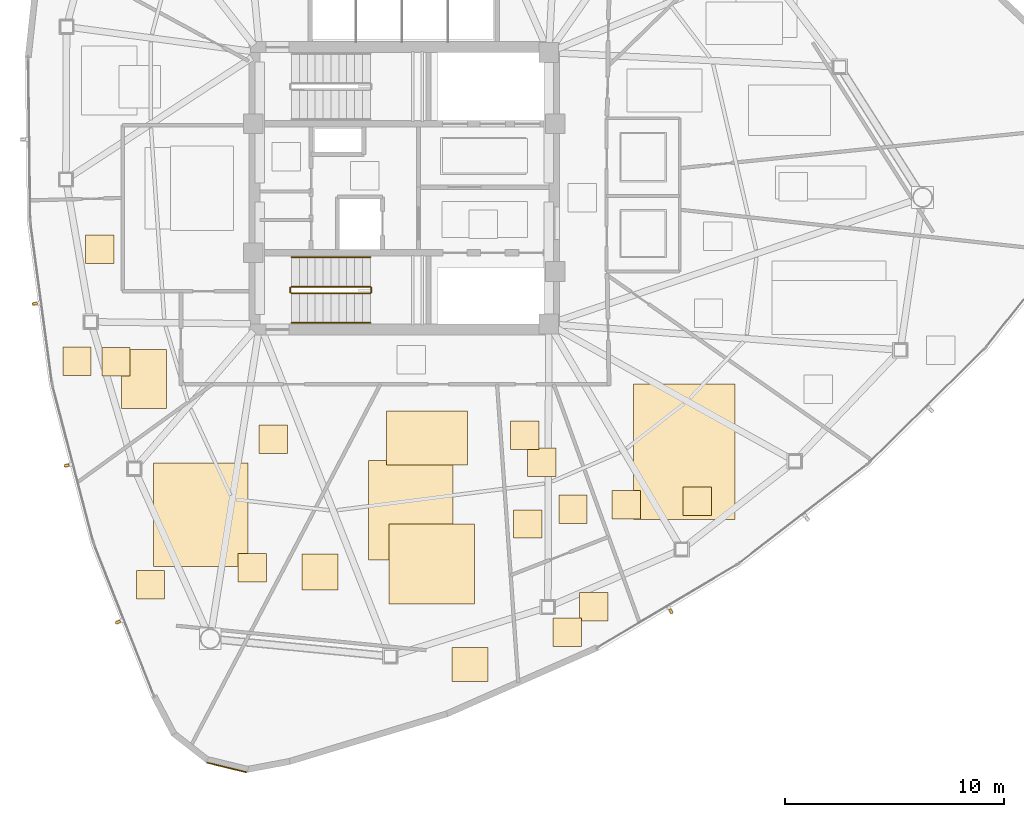
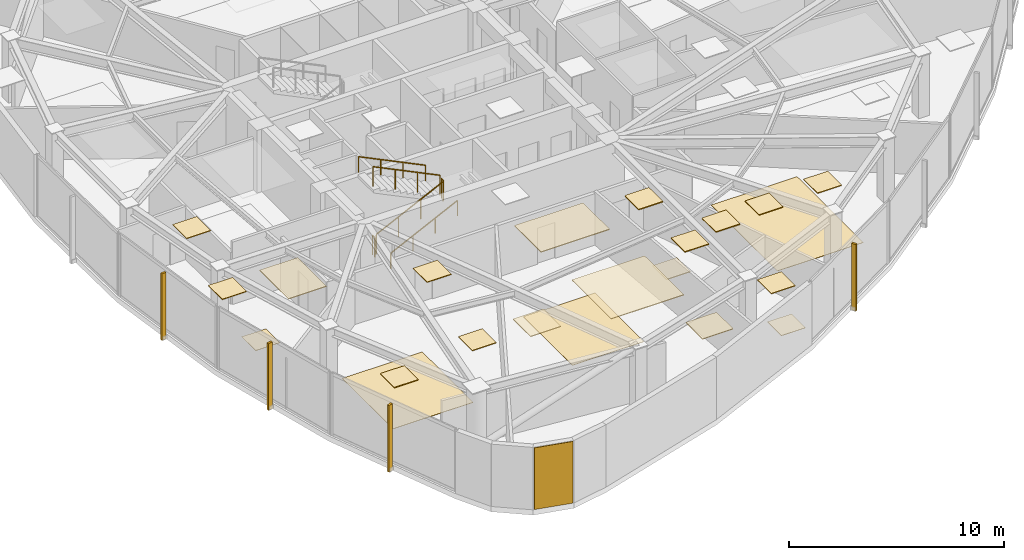
# One storey, part 15 of 18: 23 coverings, 6 railings, 4 shading devices.
"""IFC4 building model written with IfcOpenShell, lengths in metres."""

from ifc_helpers import new_model, si_unit, direction, frame, origin, origin_2d, place, context, subcontext, project, spatial, polyline, rectangle, outline, extrude, source, transform, mapped, material, layer, layer_set, type_object, type_shapes, element, save


model = new_model("IFC4")

# Units and contexts
model_context = context("Model", 3, precision=1e-05, world=origin(), true_north=direction((0.0, 1.0)))
body_context = subcontext(model_context, "Body", "Model", "MODEL_VIEW")
ifc_project = project(units=[si_unit("LENGTHUNIT", "METRE"), si_unit("AREAUNIT", "SQUARE_METRE"), si_unit("VOLUMEUNIT", "CUBIC_METRE"), si_unit("PLANEANGLEUNIT", "RADIAN"), si_unit("MASSUNIT", "GRAM", prefix="KILO")], contexts=[model_context])

# Site, building, storey
site_placement = place(None, origin())
site = spatial("IfcSite", under=ifc_project, at=site_placement, CompositionType="ELEMENT")
building_placement = place(site_placement, origin())
building = spatial("IfcBuilding", under=site, at=building_placement, Name="Tavelor Broadcast Tower", CompositionType="ELEMENT")
storey_placement = place(building_placement, frame((0.0, 0.0, 177.199951171875)))
storey = spatial("IfcBuildingStorey", under=building, at=storey_placement, Name="L42", CompositionType="ELEMENT", Elevation=177.199951171875)

# Covering
ifc_material_1 = material(Name="Copper-Bronze Anodized Aluminium", Category="aluminium")
ifc_layer_1 = layer(ifc_material_1, 0.050048828125)
ifc_layer_set_1 = layer_set([ifc_layer_1], Name="Copper-Bronze Anodized Aluminium")
covering_type_1 = type_object("IfcCoveringType", Name="Champagne-Bronze Corner Pier Metal Cladding 50 mm", PredefinedType="CLADDING", material=ifc_layer_set_1)
covering_1_placement = place(storey_placement, frame((41.88525390625, 18.547607421875, 0.02001953125), z_axis=(0.0, 0.0, 1.0), x_axis=(0.971755430305, -0.235990219443, 0.0)))
element("IfcCovering", 1, at=covering_1_placement, inside=storey, type_object=covering_type_1, Name="L42 Champagne-Bronze Corner Cladding 13", PredefinedType="CLADDING", context=body_context, shape_type="SweptSolid", body=[
    extrude(rectangle(XDim=1.8759765625, YDim=0.050048828125, at=origin_2d()), origin(), (0.0, 0.0, 1.0), 3.510009765625),
])

# Railings
ifc_material_2 = material(Name="Steel S355", Category="steel")
railing_type_1 = type_object("IfcRailingType", Name="Continuous Brushed Stainless Handrail 900 mm", PredefinedType="HANDRAIL", material=ifc_material_2)
railing_1_placement = place(storey_placement, frame((44.85009765625, 38.85009765625, 0.175048828125)))
element("IfcRailing", 2, at=railing_1_placement, inside=storey, type_object=railing_type_1, Name="L42 ST2 stair handrail 1", PredefinedType="HANDRAIL", context=body_context, shape_type="SweptSolid", body=[
    extrude(rectangle(XDim=0.048095703125, YDim=0.048095703125, at=origin_2d()), frame((0.0, 0.0, 0.8759765625), z_axis=(0.899360859046, 0.0, 0.437207096483), x_axis=(0.0, 1.0, 0.0)), (0.0, 0.0, 1.0), 4.002685546875),
    extrude(rectangle(XDim=0.0419921875, YDim=0.0419921875, at=origin_2d()), origin(), (0.0, 0.0, 1.0), 0.851806640625),
    extrude(rectangle(XDim=0.0419921875, YDim=0.0419921875, at=origin_2d()), frame((1.199951171875, 0.0, 0.583251953125)), (0.0, 0.0, 1.0), 0.851806640625),
    extrude(rectangle(XDim=0.0419921875, YDim=0.0419921875, at=origin_2d()), frame((2.39990234375, 0.0, 1.166748046875)), (0.0, 0.0, 1.0), 0.851806640625),
    extrude(rectangle(XDim=0.0419921875, YDim=0.0419921875, at=origin_2d()), frame((3.599853515625, 0.0, 1.75)), (0.0, 0.0, 1.0), 0.851806640625),
])
railing_2_placement = place(storey_placement, frame((48.449951171875, 41.85009765625, 2.10009765625)))
element("IfcRailing", 3, at=railing_2_placement, inside=storey, type_object=railing_type_1, Name="L42 ST2 stair handrail 2", PredefinedType="HANDRAIL", context=body_context, shape_type="SweptSolid", body=[
    extrude(rectangle(XDim=0.048095703125, YDim=0.048095703125, at=origin_2d()), frame((0.0, 0.0, 0.8759765625), z_axis=(-0.899360859046, 0.0, 0.437207096483), x_axis=(0.0, -1.0, 0.0)), (0.0, 0.0, 1.0), 4.002685546875),
    extrude(rectangle(XDim=0.0419921875, YDim=0.0419921875, at=origin_2d()), origin(), (0.0, 0.0, 1.0), 0.851806640625),
    extrude(rectangle(XDim=0.0419921875, YDim=0.0419921875, at=origin_2d()), frame((-1.199951171875, 0.0, 0.583251953125)), (0.0, 0.0, 1.0), 0.851806640625),
    extrude(rectangle(XDim=0.0419921875, YDim=0.0419921875, at=origin_2d()), frame((-2.39990234375, 0.0, 1.166748046875)), (0.0, 0.0, 1.0), 0.851806640625),
    extrude(rectangle(XDim=0.0419921875, YDim=0.0419921875, at=origin_2d()), frame((-3.599853515625, 0.0, 1.75)), (0.0, 0.0, 1.0), 0.851806640625),
])

# Coverings
ifc_material_3 = material(Name="Acoustic Nylon Carpet Tile")
ifc_layer_2 = layer(ifc_material_3, 0.02001953125)
ifc_layer_set_2 = layer_set([ifc_layer_2], Name="Acoustic Nylon Carpet Tile")
covering_type_2 = type_object("IfcCoveringType", Name="Heavy-Duty Acoustic Broadcast Carpet Tile 20 mm", PredefinedType="FLOORING", material=ifc_layer_set_2)
covering_2_placement = place(storey_placement, origin())
element("IfcCovering", 4, at=covering_2_placement, inside=storey, type_object=covering_type_2, Name="L42 Broadcast Floor Finish 0618", PredefinedType="FLOORING", context=body_context, shape_type="SweptSolid", body=[
    extrude(outline(polyline([(60.472412109375, 29.869140625), (65.097412109375, 29.869140625), (65.097412109375, 36.05029296875), (60.472412109375, 36.05029296875), (60.472412109375, 29.869140625)])), origin(), (0.0, 0.0, 1.0), 0.02001953125),
])
covering_3_placement = place(storey_placement, origin())
element("IfcCovering", 5, at=covering_3_placement, inside=storey, type_object=covering_type_2, Name="L42 Broadcast Floor Finish 0619", PredefinedType="FLOORING", context=body_context, shape_type="SweptSolid", body=[
    extrude(outline(polyline([(57.997802734375, 25.2255859375), (59.2978515625, 25.2255859375), (59.2978515625, 26.525634765625), (57.997802734375, 26.525634765625), (57.997802734375, 25.2255859375)])), origin(), (0.0, 0.0, 1.0), 0.02001953125),
])
covering_4_placement = place(storey_placement, origin())
element("IfcCovering", 6, at=covering_4_placement, inside=storey, type_object=covering_type_2, Name="L42 Broadcast Floor Finish 0620", PredefinedType="FLOORING", context=body_context, shape_type="SweptSolid", body=[
    extrude(outline(polyline([(48.365478515625, 28.01513671875), (52.219482421875, 28.01513671875), (52.219482421875, 32.57470703125), (48.365478515625, 32.57470703125), (48.365478515625, 28.01513671875)])), origin(), (0.0, 0.0, 1.0), 0.02001953125),
])
covering_5_placement = place(storey_placement, origin())
element("IfcCovering", 7, at=covering_5_placement, inside=storey, type_object=covering_type_2, Name="L42 Broadcast Floor Finish 0621", PredefinedType="FLOORING", context=body_context, shape_type="SweptSolid", body=[
    extrude(outline(polyline([(38.547119140625, 27.718505859375), (42.8564453125, 27.718505859375), (42.8564453125, 32.45361328125), (38.547119140625, 32.45361328125), (38.547119140625, 27.718505859375)])), origin(), (0.0, 0.0, 1.0), 0.02001953125),
])
covering_6_placement = place(storey_placement, origin())
element("IfcCovering", 8, at=covering_6_placement, inside=storey, type_object=covering_type_2, Name="L42 Broadcast Floor Finish 0622", PredefinedType="FLOORING", context=body_context, shape_type="SweptSolid", body=[
    extrude(outline(polyline([(36.18310546875, 36.4228515625), (37.483154296875, 36.4228515625), (37.483154296875, 37.722900390625), (36.18310546875, 37.722900390625), (36.18310546875, 36.4228515625)])), origin(), (0.0, 0.0, 1.0), 0.02001953125),
])
ifc_material_4 = material(Name="Acoustic Hardwood Studio Flooring", Category="wood")
ifc_layer_3 = layer(ifc_material_4, 0.034912109375)
ifc_layer_set_3 = layer_set([ifc_layer_3], Name="Acoustic Hardwood Studio Flooring")
covering_type_3 = type_object("IfcCoveringType", Name="Isolated Studio Acoustic Elastomeric Floor Finish 35 mm", PredefinedType="FLOORING", material=ifc_layer_set_3)
covering_7_placement = place(storey_placement, origin())
element("IfcCovering", 9, at=covering_7_placement, inside=storey, type_object=covering_type_3, Name="L42 Broadcast Floor Finish 0632", PredefinedType="FLOORING", context=body_context, shape_type="SweptSolid", body=[
    extrude(outline(polyline([(55.639404296875, 31.841796875), (56.939453125, 31.841796875), (56.939453125, 33.141845703125), (55.639404296875, 33.141845703125), (55.639404296875, 31.841796875)])), origin(), (0.0, 0.0, 1.0), 0.03515625),
])
ifc_material_5 = material(Name="Acoustic Perforated Timber Baffle", Category="wood")
ifc_layer_4 = layer(ifc_material_5, 0.054931640625)
ifc_layer_set_4 = layer_set([ifc_layer_4], Name="Acoustic Perforated Timber Baffle")
covering_type_4 = type_object("IfcCoveringType", Name="Micro-Perforated Acoustic Baffle Studio Ceiling 55 mm", PredefinedType="CEILING", material=ifc_layer_set_4)
covering_8_placement = place(storey_placement, frame((0.0, 0.0, 3.4951171875)))
element("IfcCovering", 10, at=covering_8_placement, inside=storey, type_object=covering_type_4, Name="L42 Suspended Acoustic Ceiling 1777", PredefinedType="CEILING", context=body_context, shape_type="SweptSolid", body=[
    extrude(outline(polyline([(54.996826171875, 29.016357421875), (56.296875, 29.016357421875), (56.296875, 30.31640625), (54.996826171875, 30.31640625), (54.996826171875, 29.016357421875)])), origin(), (0.0, 0.0, 1.0), 0.054931640625),
])
covering_9_placement = place(storey_placement, frame((0.0, 0.0, 3.4951171875)))
element("IfcCovering", 11, at=covering_9_placement, inside=storey, type_object=covering_type_4, Name="L42 Suspended Acoustic Ceiling 1778", PredefinedType="CEILING", context=body_context, shape_type="SweptSolid", body=[
    extrude(outline(polyline([(54.858154296875, 33.07470703125), (56.158203125, 33.07470703125), (56.158203125, 34.37451171875), (54.858154296875, 34.37451171875), (54.858154296875, 33.07470703125)])), origin(), (0.0, 0.0, 1.0), 0.054931640625),
])
covering_10_placement = place(storey_placement, frame((0.0, 0.0, 3.4951171875)))
element("IfcCovering", 12, at=covering_10_placement, inside=storey, type_object=covering_type_4, Name="L42 Suspended Acoustic Ceiling 1779", PredefinedType="CEILING", context=body_context, shape_type="SweptSolid", body=[
    extrude(outline(polyline([(57.056396484375, 29.69287109375), (58.3564453125, 29.69287109375), (58.3564453125, 30.992919921875), (57.056396484375, 30.992919921875), (57.056396484375, 29.69287109375)])), origin(), (0.0, 0.0, 1.0), 0.054931640625),
])

# Railings
railing_type_2 = type_object("IfcRailingType", Name="Stairwell Steel Safety Guardrail 1150 mm", PredefinedType="GUARDRAIL", material=ifc_material_2)
railing_3_placement = place(storey_placement, frame((44.85009765625, 40.199951171875, 0.175048828125)))
element("IfcRailing", 13, at=railing_3_placement, inside=storey, type_object=railing_type_2, Name="L42 ST2 stair guard 1", PredefinedType="GUARDRAIL", context=body_context, shape_type="SweptSolid", body=[
    extrude(rectangle(XDim=0.048095703125, YDim=0.048095703125, at=origin_2d()), frame((0.0, 0.0, 1.1259765625), z_axis=(0.899360859046, 0.0, 0.437207096483), x_axis=(0.0, 1.0, 0.0)), (0.0, 0.0, 1.0), 4.002685546875),
    extrude(rectangle(XDim=0.0419921875, YDim=0.0419921875, at=origin_2d()), origin(), (0.0, 0.0, 1.0), 1.101806640625),
    extrude(rectangle(XDim=0.0419921875, YDim=0.0419921875, at=origin_2d()), frame((1.199951171875, 0.0, 0.583251953125)), (0.0, 0.0, 1.0), 1.101806640625),
    extrude(rectangle(XDim=0.0419921875, YDim=0.0419921875, at=origin_2d()), frame((2.39990234375, 0.0, 1.166748046875)), (0.0, 0.0, 1.0), 1.101806640625),
    extrude(rectangle(XDim=0.0419921875, YDim=0.0419921875, at=origin_2d()), frame((3.599853515625, 0.0, 1.75)), (0.0, 0.0, 1.0), 1.101806640625),
])
railing_4_placement = place(storey_placement, frame((48.5, 40.25, 1.925048828125)))
element("IfcRailing", 14, at=railing_4_placement, inside=storey, type_object=railing_type_2, Name="L42 ST2 stair guard 2", PredefinedType="GUARDRAIL", context=body_context, shape_type="SweptSolid", body=[
    extrude(rectangle(XDim=0.048095703125, YDim=0.048095703125, at=origin_2d()), frame((0.0, 0.0, 1.1259765625), z_axis=(0.0, 1.0, 0.0), x_axis=(-1.0, 0.0, 0.0)), (0.0, 0.0, 1.0), 0.199951171875),
    extrude(rectangle(XDim=0.0419921875, YDim=0.0419921875, at=origin_2d()), origin(), (0.0, 0.0, 1.0), 1.101806640625),
    extrude(rectangle(XDim=0.0419921875, YDim=0.0419921875, at=origin_2d()), frame((0.0, 0.199951171875, 0.0)), (0.0, 0.0, 1.0), 1.101806640625),
])
railing_5_placement = place(storey_placement, frame((48.449951171875, 40.5, 2.10009765625)))
element("IfcRailing", 15, at=railing_5_placement, inside=storey, type_object=railing_type_2, Name="L42 ST2 stair guard 3", PredefinedType="GUARDRAIL", context=body_context, shape_type="SweptSolid", body=[
    extrude(rectangle(XDim=0.048095703125, YDim=0.048095703125, at=origin_2d()), frame((0.0, 0.0, 1.1259765625), z_axis=(-0.899360859046, 0.0, 0.437207096483), x_axis=(0.0, -1.0, 0.0)), (0.0, 0.0, 1.0), 4.002685546875),
    extrude(rectangle(XDim=0.0419921875, YDim=0.0419921875, at=origin_2d()), origin(), (0.0, 0.0, 1.0), 1.101806640625),
    extrude(rectangle(XDim=0.0419921875, YDim=0.0419921875, at=origin_2d()), frame((-1.199951171875, 0.0, 0.583251953125)), (0.0, 0.0, 1.0), 1.101806640625),
    extrude(rectangle(XDim=0.0419921875, YDim=0.0419921875, at=origin_2d()), frame((-2.39990234375, 0.0, 1.166748046875)), (0.0, 0.0, 1.0), 1.101806640625),
    extrude(rectangle(XDim=0.0419921875, YDim=0.0419921875, at=origin_2d()), frame((-3.599853515625, 0.0, 1.75)), (0.0, 0.0, 1.0), 1.101806640625),
])
railing_6_placement = place(storey_placement, frame((44.800048828125, 40.25, 0.0)))
element("IfcRailing", 16, at=railing_6_placement, inside=storey, type_object=railing_type_2, Name="L42 ST2 stair guard 4", PredefinedType="GUARDRAIL", context=body_context, shape_type="SweptSolid", body=[
    extrude(rectangle(XDim=0.048095703125, YDim=0.048095703125, at=origin_2d()), frame((0.0, 0.0, 1.1259765625), z_axis=(0.0, 1.0, 0.0), x_axis=(-1.0, 0.0, 0.0)), (0.0, 0.0, 1.0), 0.199951171875),
    extrude(rectangle(XDim=0.0419921875, YDim=0.0419921875, at=origin_2d()), origin(), (0.0, 0.0, 1.0), 1.101806640625),
    extrude(rectangle(XDim=0.0419921875, YDim=0.0419921875, at=origin_2d()), frame((0.0, 0.199951171875, 0.0)), (0.0, 0.0, 1.0), 1.101806640625),
])

# Coverings
ifc_material_6 = material(Name="Acoustic Mineral Fibre Tile")
ifc_layer_5 = layer(ifc_material_6, 0.0400390625)
ifc_layer_set_5 = layer_set([ifc_layer_5], Name="Acoustic Mineral Fibre Tile")
covering_type_5 = type_object("IfcCoveringType", Name="Suspended Acoustic Mineral-Fibre Office Ceiling 40 mm", PredefinedType="CEILING", material=ifc_layer_set_5)
covering_11_placement = place(storey_placement, frame((0.0, 0.0, 3.510009765625)))
element("IfcCovering", 17, at=covering_11_placement, inside=storey, type_object=covering_type_5, Name="L42 Suspended Acoustic Ceiling 1742", PredefinedType="CEILING", context=body_context, shape_type="SweptSolid", body=[
    extrude(outline(polyline([(59.4912109375, 29.8935546875), (60.791259765625, 29.8935546875), (60.791259765625, 31.193603515625), (59.4912109375, 31.193603515625), (59.4912109375, 29.8935546875)])), origin(), (0.0, 0.0, 1.0), 0.0400390625),
])
covering_12_placement = place(storey_placement, frame((0.0, 0.0, 3.510009765625)))
element("IfcCovering", 18, at=covering_12_placement, inside=storey, type_object=covering_type_5, Name="L42 Suspended Acoustic Ceiling 1743", PredefinedType="CEILING", context=body_context, shape_type="SweptSolid", body=[
    extrude(outline(polyline([(62.7353515625, 30.05615234375), (64.035400390625, 30.05615234375), (64.035400390625, 31.356201171875), (62.7353515625, 31.356201171875), (62.7353515625, 30.05615234375)])), origin(), (0.0, 0.0, 1.0), 0.0400390625),
])
covering_13_placement = place(storey_placement, frame((0.0, 0.0, 3.510009765625)))
element("IfcCovering", 19, at=covering_13_placement, inside=storey, type_object=covering_type_5, Name="L42 Suspended Acoustic Ceiling 1744", PredefinedType="CEILING", context=body_context, shape_type="SweptSolid", body=[
    extrude(outline(polyline([(56.78759765625, 24.064697265625), (58.08740234375, 24.064697265625), (58.08740234375, 25.36474609375), (56.78759765625, 25.36474609375), (56.78759765625, 24.064697265625)])), origin(), (0.0, 0.0, 1.0), 0.0400390625),
])
covering_14_placement = place(storey_placement, frame((0.0, 0.0, 3.510009765625)))
element("IfcCovering", 20, at=covering_14_placement, inside=storey, type_object=covering_type_5, Name="L42 Suspended Acoustic Ceiling 1745", PredefinedType="CEILING", context=body_context, shape_type="SweptSolid", body=[
    extrude(outline(polyline([(52.171142578125, 22.474609375), (53.823486328125, 22.474609375), (53.823486328125, 24.02490234375), (52.171142578125, 24.02490234375), (52.171142578125, 22.474609375)])), origin(), (0.0, 0.0, 1.0), 0.0400390625),
])
covering_15_placement = place(storey_placement, frame((0.0, 0.0, 3.510009765625)))
element("IfcCovering", 21, at=covering_15_placement, inside=storey, type_object=covering_type_5, Name="L42 Suspended Acoustic Ceiling 1746", PredefinedType="CEILING", context=body_context, shape_type="SweptSolid", body=[
    extrude(outline(polyline([(49.302490234375, 26.02001953125), (53.214599609375, 26.02001953125), (53.214599609375, 29.671142578125), (49.302490234375, 29.671142578125), (49.302490234375, 26.02001953125)])), origin(), (0.0, 0.0, 1.0), 0.0400390625),
])
covering_16_placement = place(storey_placement, frame((0.0, 0.0, 3.510009765625)))
element("IfcCovering", 22, at=covering_16_placement, inside=storey, type_object=covering_type_5, Name="L42 Suspended Acoustic Ceiling 1747", PredefinedType="CEILING", context=body_context, shape_type="SweptSolid", body=[
    extrude(outline(polyline([(45.334716796875, 26.657470703125), (46.97705078125, 26.657470703125), (46.97705078125, 28.29443359375), (45.334716796875, 28.29443359375), (45.334716796875, 26.657470703125)])), origin(), (0.0, 0.0, 1.0), 0.0400390625),
])
covering_17_placement = place(storey_placement, frame((0.0, 0.0, 3.510009765625)))
element("IfcCovering", 23, at=covering_17_placement, inside=storey, type_object=covering_type_5, Name="L42 Suspended Acoustic Ceiling 1748", PredefinedType="CEILING", context=body_context, shape_type="SweptSolid", body=[
    extrude(outline(polyline([(49.186279296875, 32.357177734375), (52.881591796875, 32.357177734375), (52.881591796875, 34.8310546875), (49.186279296875, 34.8310546875), (49.186279296875, 32.357177734375)])), origin(), (0.0, 0.0, 1.0), 0.0400390625),
])
covering_18_placement = place(storey_placement, frame((0.0, 0.0, 3.510009765625)))
element("IfcCovering", 24, at=covering_18_placement, inside=storey, type_object=covering_type_5, Name="L42 Suspended Acoustic Ceiling 1749", PredefinedType="CEILING", context=body_context, shape_type="SweptSolid", body=[
    extrude(outline(polyline([(37.759521484375, 26.240478515625), (39.0595703125, 26.240478515625), (39.0595703125, 27.54052734375), (37.759521484375, 27.54052734375), (37.759521484375, 26.240478515625)])), origin(), (0.0, 0.0, 1.0), 0.0400390625),
])
covering_19_placement = place(storey_placement, frame((0.0, 0.0, 3.510009765625)))
element("IfcCovering", 25, at=covering_19_placement, inside=storey, type_object=covering_type_5, Name="L42 Suspended Acoustic Ceiling 1750", PredefinedType="CEILING", context=body_context, shape_type="SweptSolid", body=[
    extrude(outline(polyline([(43.3642578125, 32.883544921875), (44.664306640625, 32.883544921875), (44.664306640625, 34.18359375), (43.3642578125, 34.18359375), (43.3642578125, 32.883544921875)])), origin(), (0.0, 0.0, 1.0), 0.0400390625),
])
covering_20_placement = place(storey_placement, frame((0.0, 0.0, 3.510009765625)))
element("IfcCovering", 26, at=covering_20_placement, inside=storey, type_object=covering_type_5, Name="L42 Suspended Acoustic Ceiling 1751", PredefinedType="CEILING", context=body_context, shape_type="SweptSolid", body=[
    extrude(outline(polyline([(42.408447265625, 27.022705078125), (43.70849609375, 27.022705078125), (43.70849609375, 28.322509765625), (42.408447265625, 28.322509765625), (42.408447265625, 27.022705078125)])), origin(), (0.0, 0.0, 1.0), 0.0400390625),
])
covering_21_placement = place(storey_placement, frame((0.0, 0.0, 3.510009765625)))
element("IfcCovering", 27, at=covering_21_placement, inside=storey, type_object=covering_type_5, Name="L42 Suspended Acoustic Ceiling 1752", PredefinedType="CEILING", context=body_context, shape_type="SweptSolid", body=[
    extrude(outline(polyline([(34.402099609375, 36.448974609375), (35.701904296875, 36.448974609375), (35.701904296875, 37.748779296875), (34.402099609375, 37.748779296875), (34.402099609375, 36.448974609375)])), origin(), (0.0, 0.0, 1.0), 0.0400390625),
])
covering_22_placement = place(storey_placement, frame((0.0, 0.0, 3.510009765625)))
element("IfcCovering", 28, at=covering_22_placement, inside=storey, type_object=covering_type_5, Name="L42 Suspended Acoustic Ceiling 1753", PredefinedType="CEILING", context=body_context, shape_type="SweptSolid", body=[
    extrude(outline(polyline([(35.438720703125, 41.561767578125), (36.738525390625, 41.561767578125), (36.738525390625, 42.86181640625), (35.438720703125, 42.86181640625), (35.438720703125, 41.561767578125)])), origin(), (0.0, 0.0, 1.0), 0.0400390625),
])
covering_23_placement = place(storey_placement, frame((0.0, 0.0, 3.510009765625)))
element("IfcCovering", 29, at=covering_23_placement, inside=storey, type_object=covering_type_5, Name="L42 Suspended Acoustic Ceiling 1754", PredefinedType="CEILING", context=body_context, shape_type="SweptSolid", body=[
    extrude(outline(polyline([(37.093994140625, 34.9453125), (39.1328125, 34.9453125), (39.1328125, 37.629150390625), (37.093994140625, 37.629150390625), (37.093994140625, 34.9453125)])), origin(), (0.0, 0.0, 1.0), 0.0400390625),
])

# Shading devices
ifc_material_7 = material(Name="Kiln-Fired Glazed Terracotta", Category="masonry")
shading_device_type = type_object("IfcShadingDeviceType", Name="Extruded Terracotta Baguette Sun-Screen 110x240", PredefinedType="JALOUSIE", material=ifc_material_7)
shared_shape = source(origin(), body_context, "Body", "SweptSolid", [
    extrude(rectangle(XDim=0.110107421875, YDim=0.239990234375, at=origin_2d()), origin(), (0.0, 0.0, 1.0), 3.7900390625),
])
type_shapes(shading_device_type, [shared_shape])
for number, where, z_axis, x_axis, name in (
    (30, (33.120849609375, 39.722412109375, -0.260009765625), (0.0, 0.0, 1.0), (0.133467289485, -0.991053218872, 0.0), "L42 Terracotta Baguette Fin 434"),
    (31, (34.576416015625, 32.33740234375, -0.260009765625), (0.0, 0.0, 1.0), (0.252576015004, -0.967577054629, 0.0), "L42 Terracotta Baguette Fin 435"),
    (32, (36.9150390625, 25.18310546875, -0.260009765625), (0.0, 0.0, 1.0), (0.367799977044, -0.92990492895, 0.0), "L42 Terracotta Baguette Fin 436"),
    (33, (62.1845703125, 25.672607421875, -0.260009765625), (0.0, 0.0, 1.0), (0.859584834096, 0.510993065504, 0.0), "L42 Terracotta Baguette Fin 437"),
):
    element("IfcShadingDevice", number, at=place(storey_placement, frame(where, z_axis=z_axis, x_axis=x_axis)), inside=storey, type_object=shading_device_type, Name=name, PredefinedType="JALOUSIE", context=body_context, shape_type="MappedRepresentation", body=[
        mapped(shared_shape, transform((0.0, 0.0, 0.0), scale=1.0)),
    ])

save(model, "model.ifc")
